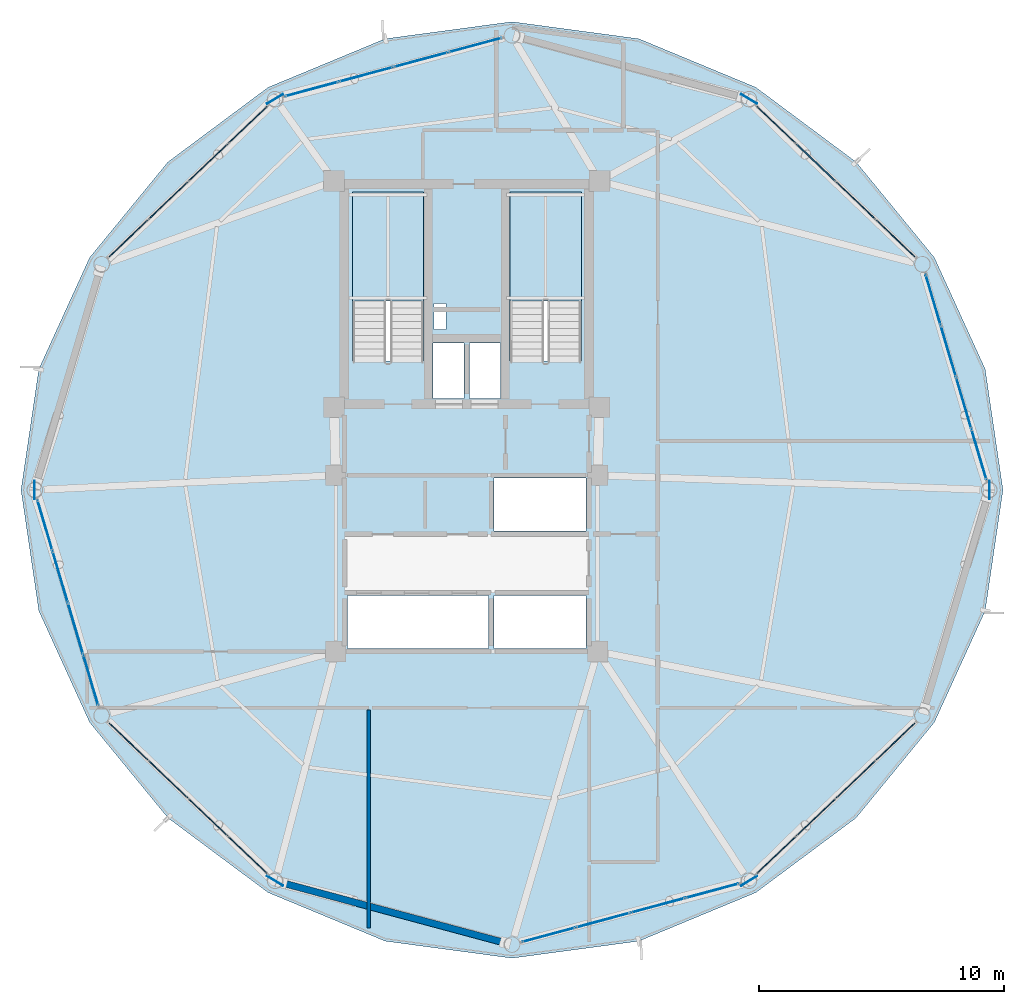
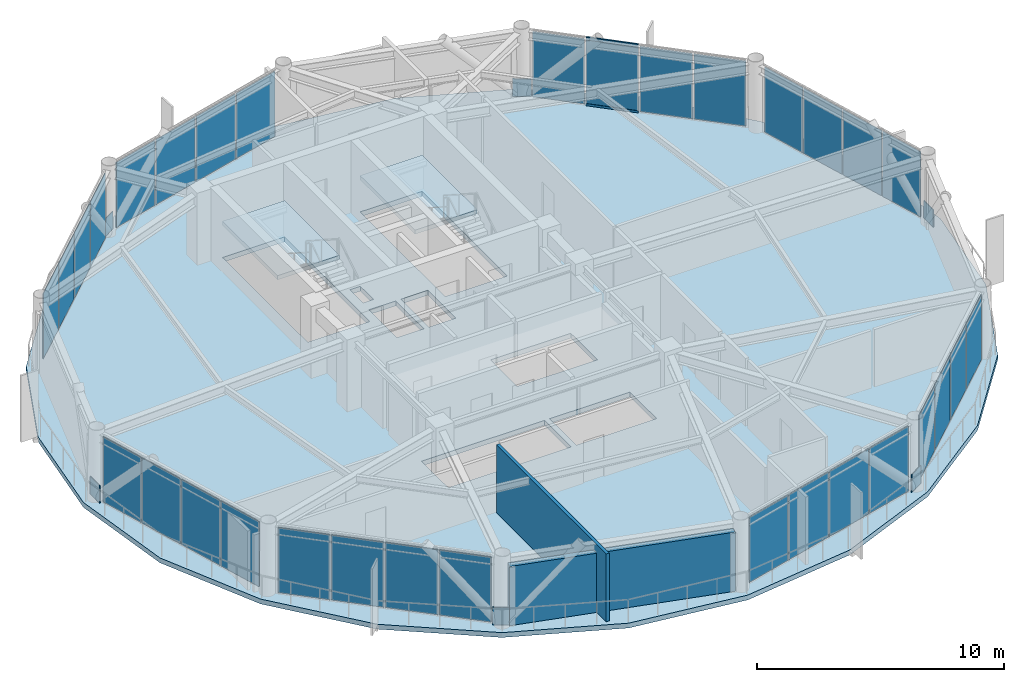
# One storey, part 22 of 28: 38 plates, 3 slabs, 2 members, 2 walls, 10 elements without a shape of their own.
"""IFC4 building model written with IfcOpenShell, lengths in metres."""

from ifc_helpers import new_model, si_unit, direction, frame, frame_2d, origin, origin_2d, place, context, subcontext, project, spatial, polyline, rectangle, hollow_rectangle, outline, extrude, source, transform, mapped, material, layer, layer_set, material_profile, profile_set, type_object, type_shapes, element, aggregate, save


model = new_model("IFC4")

# Units and contexts
model_context = context("Model", 3, precision=1e-05, world=origin(), true_north=direction((0.0, 1.0)))
body_context = subcontext(model_context, "Body", "Model", "MODEL_VIEW")
ifc_project = project(units=[si_unit("LENGTHUNIT", "METRE"), si_unit("AREAUNIT", "SQUARE_METRE"), si_unit("VOLUMEUNIT", "CUBIC_METRE"), si_unit("PLANEANGLEUNIT", "RADIAN"), si_unit("MASSUNIT", "GRAM", prefix="KILO")], contexts=[model_context])

# Site, building, storey
site_placement = place(None, origin())
site = spatial("IfcSite", under=ifc_project, at=site_placement, CompositionType="ELEMENT")
building_placement = place(site_placement, origin())
building = spatial("IfcBuilding", under=site, at=building_placement, Name="Varnakorn Sky Granary", CompositionType="ELEMENT")
storey_placement = place(building_placement, frame((0.0, 0.0, 193.199951171875)))
storey = spatial("IfcBuildingStorey", under=building, at=storey_placement, Name="L48", CompositionType="ELEMENT", Elevation=193.199951171875)

# Curtain wall, members
ifc_material_1 = material(Name="Anodised Bronze Aluminium Alloy 6063-T6", Category="aluminium")
ifc_layer_1 = layer(ifc_material_1, 0.169921875, Name="Anodised Bronze Aluminium Alloy 6063-T6")
ifc_layer_set_1 = layer_set([ifc_layer_1], Name="Anodised Bronze Aluminium Alloy 6063-T6")
curtain_wall_type = type_object("IfcCurtainWallType", Name="CW-LAB-1", PredefinedType="USERDEFINED", material=ifc_layer_set_1)
curtain_wall_1_placement = place(storey_placement, origin())
curtain_wall_1 = element("IfcCurtainWall", 1, at=curtain_wall_1_placement, inside=storey, type_object=curtain_wall_type, Name="Unitised Curtain Wall CW5 CW-L48-B02", ObjectType="CURTAIN WALL", PredefinedType="USERDEFINED")
ifc_material_profile = material_profile(ifc_material_1, hollow_rectangle(XDim=0.070068359375, YDim=0.139892578125, WallThickness=0.00341796875, at=origin_2d()), Name="ALU TRAN 70x140")
ifc_profile_set = profile_set([ifc_material_profile], Name="Anodised Bronze Aluminium Alloy 6063-T6")
member_type = type_object("IfcMemberType", Name="CW-LAB-1-TRAN", PredefinedType="USERDEFINED", material=ifc_profile_set)
member_1_placement = place(storey_placement, frame((16.475830078125, 14.1298828125, 0.03515625), z_axis=(0.724299782659, -0.689485188268, 0.0), x_axis=(0.689485188268, 0.724299782659, 0.0)))
member_1 = element("IfcMember", 2, at=member_1_placement, type_object=member_type, Name="CW5 transom 2.1", ObjectType="TRANSOM", PredefinedType="USERDEFINED", context=body_context, shape_type="SweptSolid", body=[
    extrude(hollow_rectangle(XDim=0.070068359375, YDim=0.139892578125, WallThickness=0.00341796875, at=origin_2d()), origin(), (0.0, 0.0, 1.0), 2.18798828125),
])
member_2_placement = place(storey_placement, frame((16.475830078125, 14.1298828125, 3.324951171875), z_axis=(0.724299782659, -0.689485188268, 0.0), x_axis=(0.689485188268, 0.724299782659, 0.0)))
member_2 = element("IfcMember", 3, at=member_2_placement, type_object=member_type, Name="CW5 transom 2.2", ObjectType="TRANSOM", PredefinedType="USERDEFINED", context=body_context, shape_type="SweptSolid", body=[
    extrude(hollow_rectangle(XDim=0.070068359375, YDim=0.139892578125, WallThickness=0.00341796875, at=origin_2d()), origin(), (0.0, 0.0, 1.0), 2.18798828125),
])

# Plates
ifc_material_2 = material(Name="Steel S460M", Category="steel")
ifc_layer_2 = layer(ifc_material_2, 0.035888671875, Name="Steel S460M")
ifc_layer_set_2 = layer_set([ifc_layer_2], Name="Steel S460M")
plate_type_1 = type_object("IfcPlateType", Name="PL-NODE-KN4", PredefinedType="SHEET", material=ifc_layer_set_2)
for number, where, z_axis, x_axis, name in (
    (4, (24.361083984375, 0.0, 0.0), (0.0, 0.0, 1.0), (0.0, 1.0, 0.0), "Diagrid Node Gusset Assembly KN4 L48-1"),
    (5, (14.5380859375, 15.974609375, 0.0), (0.0, 0.0, 1.0), (-0.855046817927, 0.518550806722, 0.0), "Diagrid Node Gusset Assembly KN4 L48-3"),
    (6, (-4.837890625, 15.974609375, 0.0), (0.0, 0.0, 1.0), (-0.855046817927, -0.518550806722, 0.0), "Diagrid Node Gusset Assembly KN4 L48-5"),
    (7, (-14.660888671875, 0.0, 0.0), (0.0, 0.0, 1.0), (0.0, -1.0, 0.0), "Diagrid Node Gusset Assembly KN4 L48-7"),
    (8, (-4.837890625, -15.974609375, 0.0), (0.0, 0.0, 1.0), (0.855046817927, -0.518550806722, 0.0), "Diagrid Node Gusset Assembly KN4 L48-9"),
    (9, (14.5380859375, -15.974609375, 0.0), (0.0, 0.0, 1.0), (0.855046817927, 0.518550806722, 0.0), "Diagrid Node Gusset Assembly KN4 L48-11"),
):
    element("IfcPlate", number, at=place(storey_placement, frame(where, z_axis=z_axis, x_axis=x_axis)), inside=storey, type_object=plate_type_1, Name=name, PredefinedType="SHEET", context=body_context, shape_type="SweptSolid", body=[
        extrude(rectangle(XDim=0.760009765625, YDim=0.035888671875, at=origin_2d()), origin(), (0.0, 0.0, 1.0), 0.8798828125),
    ])

# Stair, slab
ifc_material_3 = material(Name="Concrete C40/50", Category="concrete")
stair_type = type_object("IfcStairType", Name="ST-MAIN-ASSEMBLY", PredefinedType="HALF_TURN_STAIR", material=ifc_material_3)
stair_1_placement = place(storey_placement, origin())
stair_1 = element("IfcStair", 10, at=stair_1_placement, inside=storey, type_object=stair_type, Name="L48 Protected Exit Stair ST-1", PredefinedType="HALF_TURN_STAIR")
ifc_layer_3 = layer(ifc_material_3, 0.199951171875, Name="Concrete C40/50")
ifc_layer_set_3 = layer_set([ifc_layer_3], Name="Concrete C40/50")
slab_type_1 = type_object("IfcSlabType", Name="ST-MAIN-LAND", PredefinedType="LANDING", material=ifc_layer_set_3)
slab_1_placement = place(storey_placement, frame((0.0, 0.0, 1.60009765625)))
slab_1 = element("IfcSlab", 11, at=slab_1_placement, type_object=slab_type_1, Name="ST-1 landing 1", PredefinedType="LANDING", context=body_context, shape_type="SweptSolid", body=[
    extrude(outline(polyline([(1.239990234375, 7.719970703125), (1.239990234375, 12.179931640625), (-1.669921875, 12.179931640625), (-1.669921875, 7.719970703125), (1.239990234375, 7.719970703125)])), origin(), (0.0, 0.0, 1.0), 0.199951171875),
])
aggregate(stair_1, [slab_1])

stair_2_placement = place(storey_placement, origin())
stair_2 = element("IfcStair", 12, at=stair_2_placement, inside=storey, type_object=stair_type, Name="L48 Protected Exit Stair ST-2", PredefinedType="HALF_TURN_STAIR")
slab_2_placement = place(storey_placement, frame((0.0, 0.0, 1.60009765625)))
slab_2 = element("IfcSlab", 13, at=slab_2_placement, type_object=slab_type_1, Name="ST-2 landing 1", PredefinedType="LANDING", context=body_context, shape_type="SweptSolid", body=[
    extrude(outline(polyline([(7.679931640625, 7.719970703125), (7.679931640625, 12.179931640625), (4.77001953125, 12.179931640625), (4.77001953125, 7.719970703125), (7.679931640625, 7.719970703125)])), origin(), (0.0, 0.0, 1.0), 0.199951171875),
])
aggregate(stair_2, [slab_2])

# Slab
ifc_material_4 = material(Name="Concrete C50/60", Category="concrete")
ifc_layer_4 = layer(ifc_material_4, 0.239990234375, Name="Concrete C50/60")
ifc_layer_set_4 = layer_set([ifc_layer_4], Name="Concrete C50/60")
slab_type_2 = type_object("IfcSlabType", Name="ST-SL-TWR-240", PredefinedType="FLOOR", material=ifc_layer_set_4)
slab_3_placement = place(storey_placement, frame((0.0, 0.0, -0.239990234375)))
element("IfcSlab", 14, at=slab_3_placement, inside=storey, type_object=slab_type_2, Name="Level L48 Structural Floor Slab", PredefinedType="FLOOR", context=body_context, shape_type="SweptSolid", body=[
    extrude(outline(polyline([(24.910888671875, 0.0), (24.18408203125, 4.939697265625), (22.1064453125, 9.498046875), (18.907958984375, 13.400390625), (14.81298828125, 16.450927734375), (10.030517578125, 18.435791015625), (4.85009765625, 19.131103515625), (-0.33056640625, 18.435791015625), (-5.113037109375, 16.450927734375), (-9.2080078125, 13.400390625), (-12.406494140625, 9.498046875), (-14.48388671875, 4.939697265625), (-15.2109375, 0.0), (-14.48388671875, -4.939697265625), (-12.406494140625, -9.498046875), (-9.2080078125, -13.400390625), (-5.113037109375, -16.450927734375), (-0.33056640625, -18.435791015625), (4.85009765625, -19.131103515625), (10.030517578125, -18.435791015625), (14.81298828125, -16.450927734375), (18.907958984375, -13.400390625), (22.1064453125, -9.498046875), (24.18408203125, -4.939697265625), (24.910888671875, 0.0)]), holes=[polyline([(1.239990234375, 5.27490234375), (1.239990234375, 12.179931640625), (-1.669921875, 12.179931640625), (-1.669921875, 5.27490234375), (1.239990234375, 5.27490234375)]), polyline([(7.679931640625, 5.27490234375), (7.679931640625, 12.179931640625), (4.77001953125, 12.179931640625), (4.77001953125, 5.27490234375), (7.679931640625, 5.27490234375)]), polyline([(1.659912109375, 6.550048828125), (2.14990234375, 6.550048828125), (2.14990234375, 7.6201171875), (1.659912109375, 7.6201171875), (1.659912109375, 6.550048828125)]), polyline([(1.6201171875, 3.739990234375), (2.8798828125, 3.739990234375), (2.8798828125, 6.010009765625), (1.6201171875, 6.010009765625), (1.6201171875, 3.739990234375)]), polyline([(3.1201171875, 3.739990234375), (4.3798828125, 3.739990234375), (4.3798828125, 6.010009765625), (3.1201171875, 6.010009765625), (3.1201171875, 3.739990234375)]), polyline([(4.1201171875, -1.679931640625), (7.8798828125, -1.679931640625), (7.8798828125, 0.47998046875), (4.1201171875, 0.47998046875), (4.1201171875, -1.679931640625)]), polyline([(-1.8798828125, -6.47998046875), (3.8798828125, -6.47998046875), (3.8798828125, -4.320068359375), (-1.8798828125, -4.320068359375), (-1.8798828125, -6.47998046875)]), polyline([(4.1201171875, -6.47998046875), (7.8798828125, -6.47998046875), (7.8798828125, -4.320068359375), (4.1201171875, -4.320068359375), (4.1201171875, -6.47998046875)])]), origin(), (0.0, 0.0, 1.0), 0.239990234375),
])

# Curtain wall, plates
curtain_wall_2_placement = place(storey_placement, origin())
curtain_wall_2 = element("IfcCurtainWall", 15, at=curtain_wall_2_placement, inside=storey, type_object=curtain_wall_type, Name="Unitised Curtain Wall CW5 CW-L48-B01", ObjectType="CURTAIN WALL", PredefinedType="USERDEFINED")
ifc_material_5 = material(Name="Low-E Tinted Laminated Glass", Category="glass")
ifc_layer_5 = layer(ifc_material_5, 0.033935546875, Name="Low-E Tinted Laminated Glass")
ifc_layer_set_5 = layer_set([ifc_layer_5], Name="Low-E Tinted Laminated Glass")
plate_type_2 = type_object("IfcPlateType", Name="CW-LAB-1-PNL", PredefinedType="CURTAIN_PANEL")
shared_shape_1 = source(origin(), body_context, "Body", "SweptSolid", [
    extrude(rectangle(XDim=2.1123046875, YDim=0.033935546875, at=origin_2d()), origin(), (0.0, 0.0, 1.0), 3.219970703125),
])
plate_1_placement = place(storey_placement, frame((22.05908203125, 7.77392578125, 0.06982421875), z_axis=(0.0, 0.0, 1.0), x_axis=(0.283920757858, -0.958847747694, 0.0)))
plate_1 = element("IfcPlate", 16, at=plate_1_placement, type_object=plate_type_2, material=ifc_layer_set_5, Name="CW5 vision glazing unit 1.1", PredefinedType="CURTAIN_PANEL", context=body_context, shape_type="MappedRepresentation", body=[
    mapped(shared_shape_1, transform((0.0, 0.0, 0.0), x_axis=(1.0, 0.0, 0.0), y_axis=(0.0, 1.0, 0.0), z_axis=(0.0, 0.0, 1.0), scale=1.0)),
])
ifc_material_6 = material(Name="Opaque Insulated Aluminium Shadow-Box Unit", Category="aluminium")
ifc_layer_6 = layer(ifc_material_6, 0.033935546875, Name="Opaque Insulated Aluminium Shadow-Box Unit")
ifc_layer_set_6 = layer_set([ifc_layer_6], Name="Opaque Insulated Aluminium Shadow-Box Unit")
plate_2_placement = place(storey_placement, frame((23.931884765625, 1.448974609375, 0.06982421875), z_axis=(0.0, 0.0, 1.0), x_axis=(0.283920757858, -0.958847747694, 0.0)))
plate_2 = element("IfcPlate", 17, at=plate_2_placement, type_object=plate_type_2, material=ifc_layer_set_6, Name="CW5 opaque insulated shadow-box unit 4.1", PredefinedType="CURTAIN_PANEL", context=body_context, shape_type="MappedRepresentation", body=[
    mapped(shared_shape_1, transform((0.0, 0.0, 0.0), x_axis=(1.0, 0.0, 0.0), y_axis=(0.0, 1.0, 0.0), z_axis=(0.0, 0.0, 1.0), scale=1.0)),
])

curtain_wall_3_placement = place(storey_placement, origin())
curtain_wall_3 = element("IfcCurtainWall", 18, at=curtain_wall_3_placement, inside=storey, type_object=curtain_wall_type, Name="Unitised Curtain Wall CW5 CW-L48-B07", ObjectType="CURTAIN WALL", PredefinedType="USERDEFINED")
plate_3_placement = place(storey_placement, frame((-12.359130859375, -7.77392578125, 0.06982421875), z_axis=(0.0, 0.0, 1.0), x_axis=(-0.283920757858, 0.958847747694, 0.0)))
plate_3 = element("IfcPlate", 19, at=plate_3_placement, type_object=plate_type_2, material=ifc_layer_set_5, Name="CW5 vision glazing unit 1.1", PredefinedType="CURTAIN_PANEL", context=body_context, shape_type="MappedRepresentation", body=[
    mapped(shared_shape_1, transform((0.0, 0.0, 0.0), x_axis=(1.0, 0.0, 0.0), y_axis=(0.0, 1.0, 0.0), z_axis=(0.0, 0.0, 1.0), scale=1.0)),
])
plate_4_placement = place(storey_placement, frame((-14.23193359375, -1.448974609375, 0.06982421875), z_axis=(0.0, 0.0, 1.0), x_axis=(-0.283920757858, 0.958847747694, 0.0)))
plate_4 = element("IfcPlate", 20, at=plate_4_placement, type_object=plate_type_2, material=ifc_layer_set_6, Name="CW5 opaque insulated shadow-box unit 4.1", PredefinedType="CURTAIN_PANEL", context=body_context, shape_type="MappedRepresentation", body=[
    mapped(shared_shape_1, transform((0.0, 0.0, 0.0), x_axis=(1.0, 0.0, 0.0), y_axis=(0.0, 1.0, 0.0), z_axis=(0.0, 0.0, 1.0), scale=1.0)),
])

# Plate
shared_shape_2 = source(origin(), body_context, "Body", "SweptSolid", [
    extrude(rectangle(XDim=2.144775390625, YDim=0.033935546875, at=origin_2d()), origin(), (0.0, 0.0, 1.0), 3.219970703125),
])
plate_5_placement = place(storey_placement, frame((22.681884765625, 5.6708984375, 0.06982421875), z_axis=(0.0, 0.0, 1.0), x_axis=(0.283920757858, -0.958847747694, 0.0)))
plate_5 = element("IfcPlate", 21, at=plate_5_placement, type_object=plate_type_2, material=ifc_layer_set_5, Name="CW5 vision glazing unit 2.1", PredefinedType="CURTAIN_PANEL", context=body_context, shape_type="MappedRepresentation", body=[
    mapped(shared_shape_2, transform((0.0, 0.0, 0.0), x_axis=(1.0, 0.0, 0.0), y_axis=(0.0, 1.0, 0.0), z_axis=(0.0, 0.0, 1.0), scale=1.0)),
])

plate_6_placement = place(storey_placement, frame((23.309326171875, 3.55224609375, 0.06982421875), z_axis=(0.0, 0.0, 1.0), x_axis=(0.283920757858, -0.958847747694, 0.0)))
plate_6 = element("IfcPlate", 22, at=plate_6_placement, type_object=plate_type_2, material=ifc_layer_set_6, Name="CW5 opaque insulated shadow-box unit 3.1", PredefinedType="CURTAIN_PANEL", context=body_context, shape_type="MappedRepresentation", body=[
    mapped(shared_shape_2, transform((0.0, 0.0, 0.0), x_axis=(1.0, 0.0, 0.0), y_axis=(0.0, 1.0, 0.0), z_axis=(0.0, 0.0, 1.0), scale=1.0)),
])

aggregate(curtain_wall_2, [plate_1, plate_5, plate_6, plate_2])

plate_7_placement = place(storey_placement, frame((-12.98193359375, -5.6708984375, 0.06982421875), z_axis=(0.0, 0.0, 1.0), x_axis=(-0.283920757858, 0.958847747694, 0.0)))
plate_7 = element("IfcPlate", 23, at=plate_7_placement, type_object=plate_type_2, material=ifc_layer_set_5, Name="CW5 vision glazing unit 2.1", PredefinedType="CURTAIN_PANEL", context=body_context, shape_type="MappedRepresentation", body=[
    mapped(shared_shape_2, transform((0.0, 0.0, 0.0), x_axis=(1.0, 0.0, 0.0), y_axis=(0.0, 1.0, 0.0), z_axis=(0.0, 0.0, 1.0), scale=1.0)),
])

plate_8_placement = place(storey_placement, frame((-13.609130859375, -3.55224609375, 0.06982421875), z_axis=(0.0, 0.0, 1.0), x_axis=(-0.283920757858, 0.958847747694, 0.0)))
plate_8 = element("IfcPlate", 24, at=plate_8_placement, type_object=plate_type_2, material=ifc_layer_set_6, Name="CW5 opaque insulated shadow-box unit 3.1", PredefinedType="CURTAIN_PANEL", context=body_context, shape_type="MappedRepresentation", body=[
    mapped(shared_shape_2, transform((0.0, 0.0, 0.0), x_axis=(1.0, 0.0, 0.0), y_axis=(0.0, 1.0, 0.0), z_axis=(0.0, 0.0, 1.0), scale=1.0)),
])

aggregate(curtain_wall_3, [plate_3, plate_7, plate_8, plate_4])

shared_shape_3 = source(origin(), body_context, "Body", "SweptSolid", [
    extrude(rectangle(XDim=2.155517578125, YDim=0.033935546875, at=origin_2d()), origin(), (0.0, 0.0, 1.0), 3.219970703125),
])
plate_9_placement = place(storey_placement, frame((15.648193359375, 14.91796875, 0.06982421875), z_axis=(0.0, 0.0, 1.0), x_axis=(0.724270123996, -0.689516343161, 0.0)))
plate_9 = element("IfcPlate", 25, at=plate_9_placement, type_object=plate_type_2, material=ifc_layer_set_6, Name="CW5 opaque insulated shadow-box unit 1.1", PredefinedType="CURTAIN_PANEL", context=body_context, shape_type="MappedRepresentation", body=[
    mapped(shared_shape_3, transform((0.0, 0.0, 0.0), x_axis=(1.0, 0.0, 0.0), y_axis=(0.0, 1.0, 0.0), z_axis=(0.0, 0.0, 1.0), scale=1.0)),
])

plate_10_placement = place(storey_placement, frame((20.52001953125, 10.27978515625, 0.06982421875), z_axis=(0.0, 0.0, 1.0), x_axis=(0.724270123996, -0.689516343161, 0.0)))
plate_10 = element("IfcPlate", 26, at=plate_10_placement, type_object=plate_type_2, material=ifc_layer_set_5, Name="CW5 vision glazing unit 4.1", PredefinedType="CURTAIN_PANEL", context=body_context, shape_type="MappedRepresentation", body=[
    mapped(shared_shape_3, transform((0.0, 0.0, 0.0), x_axis=(1.0, 0.0, 0.0), y_axis=(0.0, 1.0, 0.0), z_axis=(0.0, 0.0, 1.0), scale=1.0)),
])

# Curtain wall, plates
curtain_wall_4_placement = place(storey_placement, origin())
curtain_wall_4 = element("IfcCurtainWall", 27, at=curtain_wall_4_placement, inside=storey, type_object=curtain_wall_type, Name="Unitised Curtain Wall CW5 CW-L48-B05", ObjectType="CURTAIN WALL", PredefinedType="USERDEFINED")
plate_11_placement = place(storey_placement, frame((-10.81982421875, 10.27978515625, 0.06982421875), z_axis=(0.0, 0.0, 1.0), x_axis=(0.724270123996, 0.689516343161, 0.0)))
plate_11 = element("IfcPlate", 28, at=plate_11_placement, type_object=plate_type_2, material=ifc_layer_set_5, Name="CW5 vision glazing unit 1.1", PredefinedType="CURTAIN_PANEL", context=body_context, shape_type="MappedRepresentation", body=[
    mapped(shared_shape_3, transform((0.0, 0.0, 0.0), x_axis=(1.0, 0.0, 0.0), y_axis=(0.0, 1.0, 0.0), z_axis=(0.0, 0.0, 1.0), scale=1.0)),
])
plate_12_placement = place(storey_placement, frame((-5.9482421875, 14.91796875, 0.06982421875), z_axis=(0.0, 0.0, 1.0), x_axis=(0.724270123996, 0.689516343161, 0.0)))
plate_12 = element("IfcPlate", 29, at=plate_12_placement, type_object=plate_type_2, material=ifc_layer_set_6, Name="CW5 opaque insulated shadow-box unit 4.1", PredefinedType="CURTAIN_PANEL", context=body_context, shape_type="MappedRepresentation", body=[
    mapped(shared_shape_3, transform((0.0, 0.0, 0.0), x_axis=(1.0, 0.0, 0.0), y_axis=(0.0, 1.0, 0.0), z_axis=(0.0, 0.0, 1.0), scale=1.0)),
])

curtain_wall_5_placement = place(storey_placement, origin())
curtain_wall_5 = element("IfcCurtainWall", 30, at=curtain_wall_5_placement, inside=storey, type_object=curtain_wall_type, Name="Unitised Curtain Wall CW5 CW-L48-B08", ObjectType="CURTAIN WALL", PredefinedType="USERDEFINED")
plate_13_placement = place(storey_placement, frame((-5.9482421875, -14.91796875, 0.06982421875), z_axis=(0.0, 0.0, 1.0), x_axis=(-0.724270123996, 0.689516343161, 0.0)))
plate_13 = element("IfcPlate", 31, at=plate_13_placement, type_object=plate_type_2, material=ifc_layer_set_6, Name="CW5 opaque insulated shadow-box unit 1.1", PredefinedType="CURTAIN_PANEL", context=body_context, shape_type="MappedRepresentation", body=[
    mapped(shared_shape_3, transform((0.0, 0.0, 0.0), x_axis=(1.0, 0.0, 0.0), y_axis=(0.0, 1.0, 0.0), z_axis=(0.0, 0.0, 1.0), scale=1.0)),
])
plate_14_placement = place(storey_placement, frame((-10.81982421875, -10.27978515625, 0.06982421875), z_axis=(0.0, 0.0, 1.0), x_axis=(-0.724270123996, 0.689516343161, 0.0)))
plate_14 = element("IfcPlate", 32, at=plate_14_placement, type_object=plate_type_2, material=ifc_layer_set_5, Name="CW5 vision glazing unit 4.1", PredefinedType="CURTAIN_PANEL", context=body_context, shape_type="MappedRepresentation", body=[
    mapped(shared_shape_3, transform((0.0, 0.0, 0.0), x_axis=(1.0, 0.0, 0.0), y_axis=(0.0, 1.0, 0.0), z_axis=(0.0, 0.0, 1.0), scale=1.0)),
])

curtain_wall_6_placement = place(storey_placement, origin())
curtain_wall_6 = element("IfcCurtainWall", 33, at=curtain_wall_6_placement, inside=storey, type_object=curtain_wall_type, Name="Unitised Curtain Wall CW5 CW-L48-B11", ObjectType="CURTAIN WALL", PredefinedType="USERDEFINED")
plate_15_placement = place(storey_placement, frame((20.52001953125, -10.27978515625, 0.06982421875), z_axis=(0.0, 0.0, 1.0), x_axis=(-0.724270123996, -0.689516343161, 0.0)))
plate_15 = element("IfcPlate", 34, at=plate_15_placement, type_object=plate_type_2, material=ifc_layer_set_5, Name="CW5 vision glazing unit 1.1", PredefinedType="CURTAIN_PANEL", context=body_context, shape_type="MappedRepresentation", body=[
    mapped(shared_shape_3, transform((0.0, 0.0, 0.0), x_axis=(1.0, 0.0, 0.0), y_axis=(0.0, 1.0, 0.0), z_axis=(0.0, 0.0, 1.0), scale=1.0)),
])
plate_16_placement = place(storey_placement, frame((15.648193359375, -14.91796875, 0.06982421875), z_axis=(0.0, 0.0, 1.0), x_axis=(-0.724270123996, -0.689516343161, 0.0)))
plate_16 = element("IfcPlate", 35, at=plate_16_placement, type_object=plate_type_2, material=ifc_layer_set_6, Name="CW5 opaque insulated shadow-box unit 4.1", PredefinedType="CURTAIN_PANEL", context=body_context, shape_type="MappedRepresentation", body=[
    mapped(shared_shape_3, transform((0.0, 0.0, 0.0), x_axis=(1.0, 0.0, 0.0), y_axis=(0.0, 1.0, 0.0), z_axis=(0.0, 0.0, 1.0), scale=1.0)),
])

# Plate
shared_shape_4 = source(origin(), body_context, "Body", "SweptSolid", [
    extrude(rectangle(XDim=2.18798828125, YDim=0.033935546875, at=origin_2d()), origin(), (0.0, 0.0, 1.0), 3.219970703125),
])
plate_17_placement = place(storey_placement, frame((17.26806640625, 13.37548828125, 0.06982421875), z_axis=(0.0, 0.0, 1.0), x_axis=(0.724270123996, -0.689516343161, 0.0)))
plate_17 = element("IfcPlate", 36, at=plate_17_placement, type_object=plate_type_2, material=ifc_layer_set_6, Name="CW5 opaque insulated shadow-box unit 2.1", PredefinedType="CURTAIN_PANEL", context=body_context, shape_type="MappedRepresentation", body=[
    mapped(shared_shape_4, transform((0.0, 0.0, 0.0), x_axis=(1.0, 0.0, 0.0), y_axis=(0.0, 1.0, 0.0), z_axis=(0.0, 0.0, 1.0), scale=1.0)),
])

plate_18_placement = place(storey_placement, frame((18.89990234375, 11.822021484375, 0.06982421875), z_axis=(0.0, 0.0, 1.0), x_axis=(0.724270123996, -0.689516343161, 0.0)))
plate_18 = element("IfcPlate", 37, at=plate_18_placement, type_object=plate_type_2, material=ifc_layer_set_5, Name="CW5 vision glazing unit 3.1", PredefinedType="CURTAIN_PANEL", context=body_context, shape_type="MappedRepresentation", body=[
    mapped(shared_shape_4, transform((0.0, 0.0, 0.0), x_axis=(1.0, 0.0, 0.0), y_axis=(0.0, 1.0, 0.0), z_axis=(0.0, 0.0, 1.0), scale=1.0)),
])

aggregate(curtain_wall_1, [plate_9, member_1, member_2, plate_17, plate_18, plate_10])

plate_19_placement = place(storey_placement, frame((-9.199951171875, 11.822021484375, 0.06982421875), z_axis=(0.0, 0.0, 1.0), x_axis=(0.724270123996, 0.689516343161, 0.0)))
plate_19 = element("IfcPlate", 38, at=plate_19_placement, type_object=plate_type_2, material=ifc_layer_set_5, Name="CW5 vision glazing unit 2.1", PredefinedType="CURTAIN_PANEL", context=body_context, shape_type="MappedRepresentation", body=[
    mapped(shared_shape_4, transform((0.0, 0.0, 0.0), x_axis=(1.0, 0.0, 0.0), y_axis=(0.0, 1.0, 0.0), z_axis=(0.0, 0.0, 1.0), scale=1.0)),
])

plate_20_placement = place(storey_placement, frame((-7.568115234375, 13.37548828125, 0.06982421875), z_axis=(0.0, 0.0, 1.0), x_axis=(0.724270123996, 0.689516343161, 0.0)))
plate_20 = element("IfcPlate", 39, at=plate_20_placement, type_object=plate_type_2, material=ifc_layer_set_6, Name="CW5 opaque insulated shadow-box unit 3.1", PredefinedType="CURTAIN_PANEL", context=body_context, shape_type="MappedRepresentation", body=[
    mapped(shared_shape_4, transform((0.0, 0.0, 0.0), x_axis=(1.0, 0.0, 0.0), y_axis=(0.0, 1.0, 0.0), z_axis=(0.0, 0.0, 1.0), scale=1.0)),
])

aggregate(curtain_wall_4, [plate_11, plate_19, plate_20, plate_12])

plate_21_placement = place(storey_placement, frame((-7.568115234375, -13.37548828125, 0.06982421875), z_axis=(0.0, 0.0, 1.0), x_axis=(-0.724270123996, 0.689516343161, 0.0)))
plate_21 = element("IfcPlate", 40, at=plate_21_placement, type_object=plate_type_2, material=ifc_layer_set_6, Name="CW5 opaque insulated shadow-box unit 2.1", PredefinedType="CURTAIN_PANEL", context=body_context, shape_type="MappedRepresentation", body=[
    mapped(shared_shape_4, transform((0.0, 0.0, 0.0), x_axis=(1.0, 0.0, 0.0), y_axis=(0.0, 1.0, 0.0), z_axis=(0.0, 0.0, 1.0), scale=1.0)),
])

plate_22_placement = place(storey_placement, frame((-9.199951171875, -11.822021484375, 0.06982421875), z_axis=(0.0, 0.0, 1.0), x_axis=(-0.724270123996, 0.689516343161, 0.0)))
plate_22 = element("IfcPlate", 41, at=plate_22_placement, type_object=plate_type_2, material=ifc_layer_set_5, Name="CW5 vision glazing unit 3.1", PredefinedType="CURTAIN_PANEL", context=body_context, shape_type="MappedRepresentation", body=[
    mapped(shared_shape_4, transform((0.0, 0.0, 0.0), x_axis=(1.0, 0.0, 0.0), y_axis=(0.0, 1.0, 0.0), z_axis=(0.0, 0.0, 1.0), scale=1.0)),
])

aggregate(curtain_wall_5, [plate_13, plate_21, plate_22, plate_14])

plate_23_placement = place(storey_placement, frame((18.89990234375, -11.822021484375, 0.06982421875), z_axis=(0.0, 0.0, 1.0), x_axis=(-0.724270123996, -0.689516343161, 0.0)))
plate_23 = element("IfcPlate", 42, at=plate_23_placement, type_object=plate_type_2, material=ifc_layer_set_5, Name="CW5 vision glazing unit 2.1", PredefinedType="CURTAIN_PANEL", context=body_context, shape_type="MappedRepresentation", body=[
    mapped(shared_shape_4, transform((0.0, 0.0, 0.0), x_axis=(1.0, 0.0, 0.0), y_axis=(0.0, 1.0, 0.0), z_axis=(0.0, 0.0, 1.0), scale=1.0)),
])

plate_24_placement = place(storey_placement, frame((17.26806640625, -13.37548828125, 0.06982421875), z_axis=(0.0, 0.0, 1.0), x_axis=(-0.724270123996, -0.689516343161, 0.0)))
plate_24 = element("IfcPlate", 43, at=plate_24_placement, type_object=plate_type_2, material=ifc_layer_set_6, Name="CW5 opaque insulated shadow-box unit 3.1", PredefinedType="CURTAIN_PANEL", context=body_context, shape_type="MappedRepresentation", body=[
    mapped(shared_shape_4, transform((0.0, 0.0, 0.0), x_axis=(1.0, 0.0, 0.0), y_axis=(0.0, 1.0, 0.0), z_axis=(0.0, 0.0, 1.0), scale=1.0)),
])

aggregate(curtain_wall_6, [plate_15, plate_23, plate_24, plate_16])

# Curtain wall, plates
curtain_wall_7_placement = place(storey_placement, origin())
curtain_wall_7 = element("IfcCurtainWall", 44, at=curtain_wall_7_placement, inside=storey, type_object=curtain_wall_type, Name="Unitised Curtain Wall CW5 CW-L48-B04", ObjectType="CURTAIN WALL", PredefinedType="USERDEFINED")
shared_shape_5 = source(origin(), body_context, "Body", "SweptSolid", [
    extrude(rectangle(XDim=2.215576171875, YDim=0.033935546875, at=origin_2d()), origin(), (0.0, 0.0, 1.0), 3.219970703125),
])
plate_25_placement = place(storey_placement, frame((-3.328857421875, 16.380615234375, 0.06982421875), z_axis=(0.0, 0.0, 1.0), x_axis=(0.965665204007, 0.259789749164, 0.0)))
plate_25 = element("IfcPlate", 45, at=plate_25_placement, type_object=plate_type_2, material=ifc_layer_set_6, Name="CW5 opaque insulated shadow-box unit 1.1", PredefinedType="CURTAIN_PANEL", context=body_context, shape_type="MappedRepresentation", body=[
    mapped(shared_shape_5, transform((0.0, 0.0, 0.0), x_axis=(1.0, 0.0, 0.0), y_axis=(0.0, 1.0, 0.0), z_axis=(0.0, 0.0, 1.0), scale=1.0)),
])
plate_26_placement = place(storey_placement, frame((3.3408203125, 18.175048828125, 0.06982421875), z_axis=(0.0, 0.0, 1.0), x_axis=(0.965665204007, 0.259789749164, 0.0)))
plate_26 = element("IfcPlate", 46, at=plate_26_placement, type_object=plate_type_2, material=ifc_layer_set_5, Name="CW5 vision glazing unit 4.1", PredefinedType="CURTAIN_PANEL", context=body_context, shape_type="MappedRepresentation", body=[
    mapped(shared_shape_5, transform((0.0, 0.0, 0.0), x_axis=(1.0, 0.0, 0.0), y_axis=(0.0, 1.0, 0.0), z_axis=(0.0, 0.0, 1.0), scale=1.0)),
])

curtain_wall_8_placement = place(storey_placement, origin())
curtain_wall_8 = element("IfcCurtainWall", 47, at=curtain_wall_8_placement, inside=storey, type_object=curtain_wall_type, Name="Unitised Curtain Wall CW5 CW-L48-B10", ObjectType="CURTAIN WALL", PredefinedType="USERDEFINED")
plate_27_placement = place(storey_placement, frame((13.02880859375, -16.380615234375, 0.06982421875), z_axis=(0.0, 0.0, 1.0), x_axis=(-0.965665204007, -0.259789749164, 0.0)))
plate_27 = element("IfcPlate", 48, at=plate_27_placement, type_object=plate_type_2, material=ifc_layer_set_6, Name="CW5 opaque insulated shadow-box unit 1.1", PredefinedType="CURTAIN_PANEL", context=body_context, shape_type="MappedRepresentation", body=[
    mapped(shared_shape_5, transform((0.0, 0.0, 0.0), x_axis=(1.0, 0.0, 0.0), y_axis=(0.0, 1.0, 0.0), z_axis=(0.0, 0.0, 1.0), scale=1.0)),
])
plate_28_placement = place(storey_placement, frame((6.359130859375, -18.175048828125, 0.06982421875), z_axis=(0.0, 0.0, 1.0), x_axis=(-0.965665204007, -0.259789749164, 0.0)))
plate_28 = element("IfcPlate", 49, at=plate_28_placement, type_object=plate_type_2, material=ifc_layer_set_5, Name="CW5 vision glazing unit 4.1", PredefinedType="CURTAIN_PANEL", context=body_context, shape_type="MappedRepresentation", body=[
    mapped(shared_shape_5, transform((0.0, 0.0, 0.0), x_axis=(1.0, 0.0, 0.0), y_axis=(0.0, 1.0, 0.0), z_axis=(0.0, 0.0, 1.0), scale=1.0)),
])

# Plate
shared_shape_6 = source(origin(), body_context, "Body", "SweptSolid", [
    extrude(rectangle(XDim=2.248046875, YDim=0.033935546875, at=origin_2d()), origin(), (0.0, 0.0, 1.0), 3.219970703125),
])
type_shapes(plate_type_2, [shared_shape_1, shared_shape_2, shared_shape_3, shared_shape_4, shared_shape_5, shared_shape_6])
plate_29_placement = place(storey_placement, frame((-1.11083984375, 16.977294921875, 0.06982421875), z_axis=(0.0, 0.0, 1.0), x_axis=(0.965665204007, 0.259789749164, 0.0)))
plate_29 = element("IfcPlate", 50, at=plate_29_placement, type_object=plate_type_2, material=ifc_layer_set_6, Name="CW5 opaque insulated shadow-box unit 2.1", PredefinedType="CURTAIN_PANEL", context=body_context, shape_type="MappedRepresentation", body=[
    mapped(shared_shape_6, transform((0.0, 0.0, 0.0), x_axis=(1.0, 0.0, 0.0), y_axis=(0.0, 1.0, 0.0), z_axis=(0.0, 0.0, 1.0), scale=1.0)),
])

plate_30_placement = place(storey_placement, frame((1.122802734375, 17.578369140625, 0.06982421875), z_axis=(0.0, 0.0, 1.0), x_axis=(0.965665204007, 0.259789749164, 0.0)))
plate_30 = element("IfcPlate", 51, at=plate_30_placement, type_object=plate_type_2, material=ifc_layer_set_5, Name="CW5 vision glazing unit 3.1", PredefinedType="CURTAIN_PANEL", context=body_context, shape_type="MappedRepresentation", body=[
    mapped(shared_shape_6, transform((0.0, 0.0, 0.0), x_axis=(1.0, 0.0, 0.0), y_axis=(0.0, 1.0, 0.0), z_axis=(0.0, 0.0, 1.0), scale=1.0)),
])

aggregate(curtain_wall_7, [plate_25, plate_29, plate_30, plate_26])

plate_31_placement = place(storey_placement, frame((10.810791015625, -16.977294921875, 0.06982421875), z_axis=(0.0, 0.0, 1.0), x_axis=(-0.965665204007, -0.259789749164, 0.0)))
plate_31 = element("IfcPlate", 52, at=plate_31_placement, type_object=plate_type_2, material=ifc_layer_set_6, Name="CW5 opaque insulated shadow-box unit 2.1", PredefinedType="CURTAIN_PANEL", context=body_context, shape_type="MappedRepresentation", body=[
    mapped(shared_shape_6, transform((0.0, 0.0, 0.0), x_axis=(1.0, 0.0, 0.0), y_axis=(0.0, 1.0, 0.0), z_axis=(0.0, 0.0, 1.0), scale=1.0)),
])

plate_32_placement = place(storey_placement, frame((8.5771484375, -17.578369140625, 0.06982421875), z_axis=(0.0, 0.0, 1.0), x_axis=(-0.965665204007, -0.259789749164, 0.0)))
plate_32 = element("IfcPlate", 53, at=plate_32_placement, type_object=plate_type_2, material=ifc_layer_set_5, Name="CW5 vision glazing unit 3.1", PredefinedType="CURTAIN_PANEL", context=body_context, shape_type="MappedRepresentation", body=[
    mapped(shared_shape_6, transform((0.0, 0.0, 0.0), x_axis=(1.0, 0.0, 0.0), y_axis=(0.0, 1.0, 0.0), z_axis=(0.0, 0.0, 1.0), scale=1.0)),
])

aggregate(curtain_wall_8, [plate_27, plate_31, plate_32, plate_28])

# Walls
ifc_material_7 = material(Name="Precast concrete C40/50", Category="concrete")
ifc_layer_7 = layer(ifc_material_7, 0.280029296875, Name="Precast concrete C40/50")
ifc_layer_set_7 = layer_set([ifc_layer_7], Name="Precast concrete C40/50")
wall_type_1 = type_object("IfcWallType", Name="WT-EW-CRN-280", PredefinedType="SOLIDWALL", material=ifc_layer_set_7)
wall_1_placement = place(storey_placement, frame((4.57470703125, -18.507080078125, 0.0), z_axis=(0.0, 0.0, 1.0), x_axis=(-0.96565784614, 0.259817097567, 0.0)))
element("IfcWall", 54, at=wall_1_placement, inside=storey, type_object=wall_type_1, Name="Agritech Insulated Precast Facade Wall L48-P09", PredefinedType="SOLIDWALL", context=body_context, shape_type="SweptSolid", body=[
    extrude(rectangle(XDim=9.46240234375, YDim=0.280029296875, at=frame_2d((4.731201171875, 0.0))), origin(), (0.0, 0.0, 1.0), 2.929931640625),
])
ifc_material_8 = material(Name="Gypsum Plasterboard on Steel Stud", Category="steel")
ifc_layer_8 = layer(ifc_material_8, 0.14990234375, Name="Gypsum Plasterboard on Steel Stud")
ifc_layer_set_8 = layer_set([ifc_layer_8], Name="Gypsum Plasterboard on Steel Stud")
wall_type_2 = type_object("IfcWallType", Name="WT-PART-150", PredefinedType="PARTITIONING", material=ifc_layer_set_8)
wall_2_placement = place(storey_placement, frame((-1.0, -8.985107421875, 0.0), z_axis=(0.0, 0.0, 1.0), x_axis=(0.0, -1.0, 0.0)))
element("IfcWall", 55, at=wall_2_placement, inside=storey, type_object=wall_type_2, Name="Interior Partition Wall L48-032", PredefinedType="PARTITIONING", context=body_context, shape_type="SweptSolid", body=[
    extrude(rectangle(XDim=8.914794921875, YDim=0.14990234375, at=frame_2d((4.45751953125, 0.0))), origin(), (0.0, 0.0, 1.0), 3.360107421875),
])

save(model, "model.ifc")
